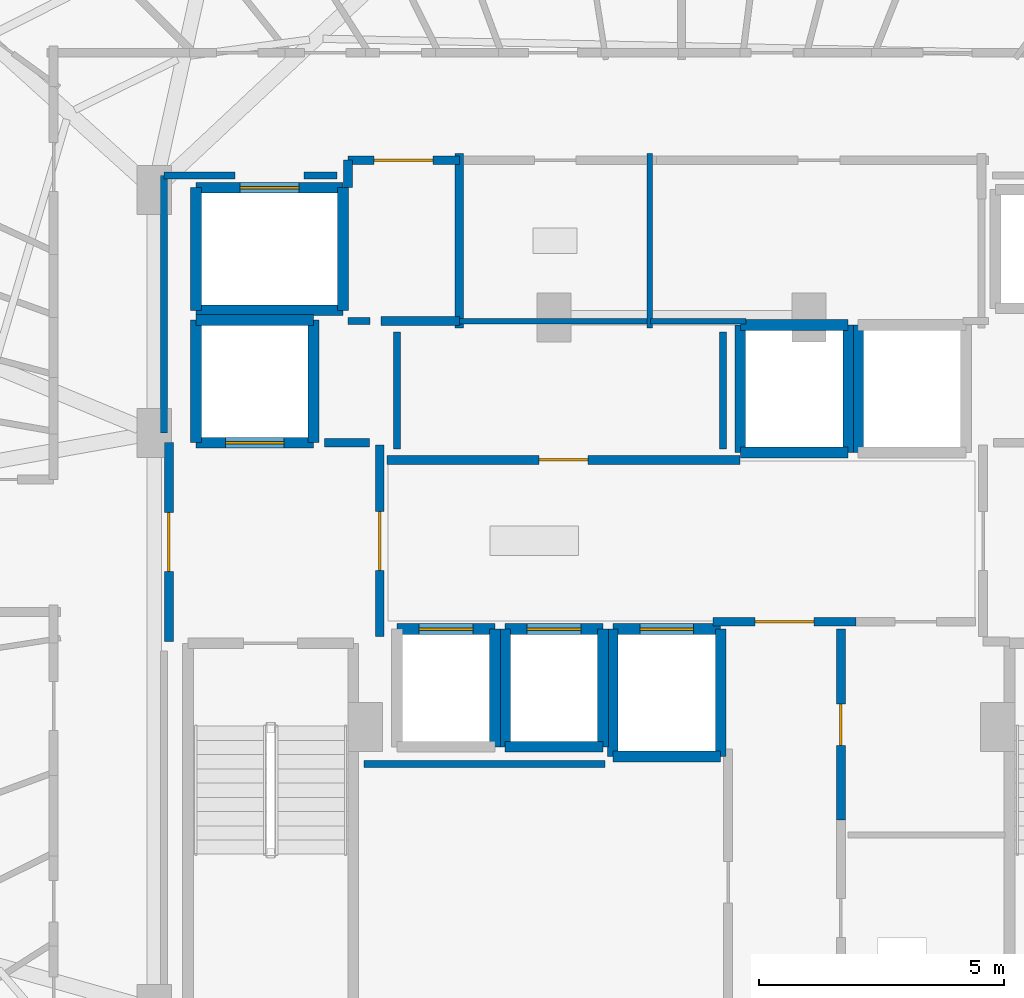
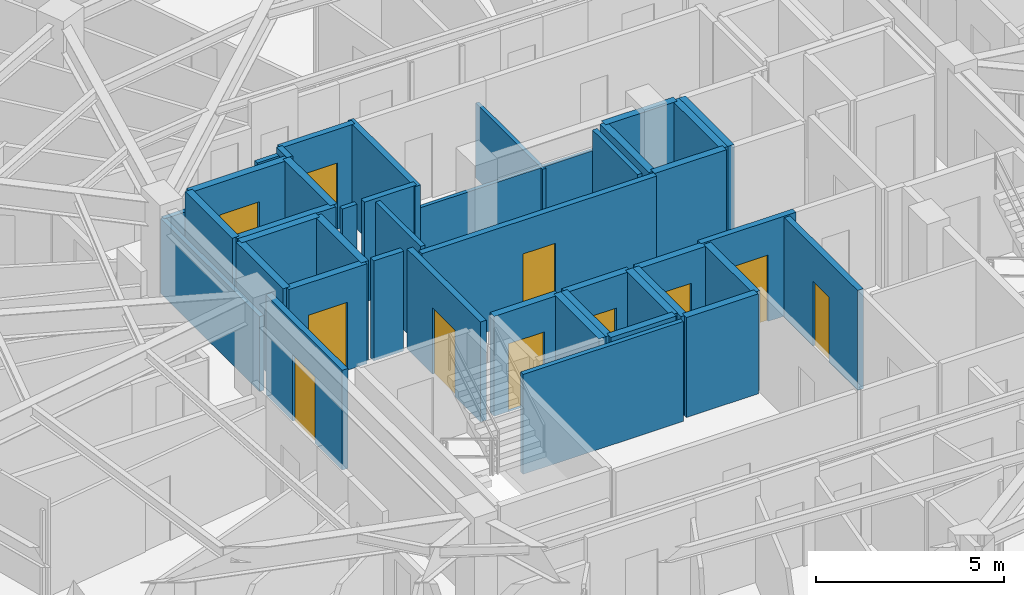
# One storey, part 26 of 34: 43 walls, 11 doors, 11 openings.
"""IFC4 building model written with IfcOpenShell, lengths in metres."""

from ifc_helpers import new_model, si_unit, direction, frame, frame_2d, origin, place, context, subcontext, project, spatial, rectangle, extrude, material, layer, layer_set, type_object, element, fill, save


model = new_model("IFC4")

# Units and contexts
model_context = context("Model", 3, precision=1e-05, world=origin(), true_north=direction((0.0, 1.0)))
body_context = subcontext(model_context, "Body", "Model", "MODEL_VIEW")
ifc_project = project(units=[si_unit("LENGTHUNIT", "METRE"), si_unit("AREAUNIT", "SQUARE_METRE"), si_unit("VOLUMEUNIT", "CUBIC_METRE"), si_unit("PLANEANGLEUNIT", "RADIAN"), si_unit("MASSUNIT", "GRAM", prefix="KILO")], contexts=[model_context])

# Site, building, storey
site_placement = place(None, origin())
site = spatial("IfcSite", under=ifc_project, at=site_placement, CompositionType="ELEMENT")
building_placement = place(site_placement, origin())
building = spatial("IfcBuilding", under=site, at=building_placement, Name="Vorneva Point Tower", CompositionType="ELEMENT")
storey_placement = place(building_placement, frame((0.0, 0.0, 182.60009765625)))
storey = spatial("IfcBuildingStorey", under=building, at=storey_placement, Name="L49", CompositionType="ELEMENT", Elevation=182.60009765625)

# Wall, opening, door
ifc_material_1 = material(Name="Concrete B60 (C50/60)", Category="concrete")
ifc_layer_1 = layer(ifc_material_1, 0.35009765625)
ifc_layer_set_1 = layer_set([ifc_layer_1], Name="Concrete B60 (C50/60)")
wall_type_1 = type_object("IfcWallType", Name="WL-CORE-350", PredefinedType="SHEAR", material=ifc_layer_set_1)
wall_1_placement = place(storey_placement, frame((28.10009765625, 28.0, 0.0), z_axis=(0.0, 0.0, 1.0), x_axis=(1.0, 0.0, 0.0)))
wall_1 = element("IfcWall", 1, at=wall_1_placement, inside=storey, type_object=wall_type_1, Name="L49 Lift FFL1 Shaft Wall -Y", PredefinedType="SHEAR", context=body_context, shape_type="SweptSolid", body=[
    extrude(rectangle(XDim=2.39990234375, YDim=0.219970703125, at=frame_2d((1.199951171875, 0.0))), origin(), (0.0, 0.0, 1.0), 3.239990234375),
])
opening_1_placement = place(wall_1_placement, frame((0.60009765625, 0.0, 0.0)))
opening_1 = element("IfcOpeningElement", 2, at=opening_1_placement, cuts=wall_1, Name="Opening LD-02", PredefinedType="OPENING", context=body_context, shape_type="SweptSolid", body=[
    extrude(rectangle(XDim=1.199951171875, YDim=2.199951171875, at=frame_2d((0.60009765625, 1.10009765625))), frame((0.0, 0.125, 0.0), z_axis=(0.0, -1.0, 0.0), x_axis=(1.0, 0.0, 0.0)), (0.0, 0.0, 1.0), 0.249755859375),
])
ifc_material_2 = material(Name="Brushed stainless steel S304", Category="steel")
door_type_1 = type_object("IfcDoorType", Name="LD-FIRE-1200", OperationType="SLIDING_TO_LEFT", PredefinedType="DOOR", material=ifc_material_2)
door_1_placement = place(opening_1_placement, origin())
door_1 = element("IfcDoor", 3, at=door_1_placement, inside=storey, type_object=door_type_1, Name="L49 Lift FFL1 Sliding Landing Door", OperationType="SLIDING_TO_LEFT", OverallHeight=2.199951171875, OverallWidth=1.199951171875, PredefinedType="DOOR", context=body_context, shape_type="SweptSolid", body=[
    extrude(rectangle(XDim=1.199951171875, YDim=2.199951171875, at=frame_2d((0.60009765625, 1.10009765625))), frame((0.0, 0.02490234375, 0.0), z_axis=(0.0, -1.0, 0.0), x_axis=(1.0, 0.0, 0.0)), (0.0, 0.0, 1.0), 0.050048828125),
])
fill(opening_1, door_1)

# Walls
wall_2_placement = place(storey_placement, frame((30.5, 28.0, 0.0), z_axis=(0.0, 0.0, 1.0), x_axis=(0.0, 1.0, 0.0)))
element("IfcWall", 4, at=wall_2_placement, inside=storey, type_object=wall_type_1, Name="L49 Lift FFL1 Shaft Wall +X", PredefinedType="SHEAR", context=body_context, shape_type="SweptSolid", body=[
    extrude(rectangle(XDim=2.5, YDim=0.219970703125, at=frame_2d((1.25, 0.0))), origin(), (0.0, 0.0, 1.0), 3.239990234375),
])
wall_3_placement = place(storey_placement, frame((30.5, 30.5, 0.0), z_axis=(0.0, 0.0, 1.0), x_axis=(-1.0, 0.0, 0.0)))
element("IfcWall", 5, at=wall_3_placement, inside=storey, type_object=wall_type_1, Name="L49 Lift FFL1 Shaft Wall +Y", PredefinedType="SHEAR", context=body_context, shape_type="SweptSolid", body=[
    extrude(rectangle(XDim=2.39990234375, YDim=0.219970703125, at=frame_2d((1.199951171875, 0.0))), origin(), (0.0, 0.0, 1.0), 3.239990234375),
])
wall_4_placement = place(storey_placement, frame((28.10009765625, 30.5, 0.0), z_axis=(0.0, 0.0, 1.0), x_axis=(0.0, -1.0, 0.0)))
element("IfcWall", 6, at=wall_4_placement, inside=storey, type_object=wall_type_1, Name="L49 Lift FFL1 Shaft Wall -X", PredefinedType="SHEAR", context=body_context, shape_type="SweptSolid", body=[
    extrude(rectangle(XDim=2.5, YDim=0.219970703125, at=frame_2d((1.25, 0.0))), origin(), (0.0, 0.0, 1.0), 3.239990234375),
])
ifc_material_3 = material(Name="Fire-rated acoustic gypsum stud partition", Category="gypsum")
ifc_layer_2 = layer(ifc_material_3, 0.110107421875)
ifc_layer_set_2 = layer_set([ifc_layer_2], Name="Fire-rated acoustic gypsum stud partition")
wall_type_2 = type_object("IfcWallType", Name="WL-PART-110", PredefinedType="PARTITIONING", material=ifc_layer_set_2)
wall_5_placement = place(storey_placement, frame((37.35009765625, 30.340087890625, 0.0), z_axis=(0.0, 0.0, 1.0), x_axis=(0.0, 1.0, 0.0)))
element("IfcWall", 7, at=wall_5_placement, inside=storey, type_object=wall_type_2, Name="L49 Interior Partition 019", PredefinedType="PARTITIONING", context=body_context, shape_type="SweptSolid", body=[
    extrude(rectangle(XDim=3.559814453125, YDim=0.110107421875, at=frame_2d((1.77978515625, 0.0))), origin(), (0.0, 0.0, 1.0), 2.431884765625),
])
wall_6_placement = place(storey_placement, frame((33.360107421875, 30.47998046875, 0.0), z_axis=(0.0, 0.0, 1.0), x_axis=(1.0, 0.0, 0.0)))
element("IfcWall", 8, at=wall_6_placement, inside=storey, type_object=wall_type_2, Name="L49 Interior Partition 020", PredefinedType="PARTITIONING", context=body_context, shape_type="SweptSolid", body=[
    extrude(rectangle(XDim=4.114990234375, YDim=0.110107421875, at=frame_2d((2.0576171875, 0.0))), origin(), (0.0, 0.0, 1.0), 2.431884765625),
])
wall_7_placement = place(storey_placement, frame((37.364990234375, 30.47998046875, 0.0), z_axis=(0.0, 0.0, 1.0), x_axis=(1.0, 0.0, 0.0)))
element("IfcWall", 9, at=wall_7_placement, inside=storey, type_object=wall_type_2, Name="L49 Interior Partition 022", PredefinedType="PARTITIONING", context=body_context, shape_type="SweptSolid", body=[
    extrude(rectangle(XDim=1.955078125, YDim=0.110107421875, at=frame_2d((0.9775390625, 0.0))), origin(), (0.0, 0.0, 1.0), 2.431884765625),
])
ifc_layer_3 = layer(ifc_material_3, 0.139892578125)
ifc_layer_set_3 = layer_set([ifc_layer_3], Name="Fire-rated acoustic gypsum stud partition")
wall_type_3 = type_object("IfcWallType", Name="WL-PART-140", PredefinedType="PARTITIONING", material=ifc_layer_set_3)
wall_8_placement = place(storey_placement, frame((31.199951171875, 30.47998046875, 0.0), z_axis=(0.0, 0.0, 1.0), x_axis=(1.0, 0.0, 0.0)))
element("IfcWall", 10, at=wall_8_placement, inside=storey, type_object=wall_type_3, Name="L49 Interior Closure Partition 191", PredefinedType="PARTITIONING", context=body_context, shape_type="SweptSolid", body=[
    extrude(rectangle(XDim=0.449951171875, YDim=0.139892578125, at=frame_2d((0.22509765625, 0.0))), origin(), (0.0, 0.0, 1.0), 3.239990234375),
])
wall_9_placement = place(storey_placement, frame((36.43896484375, 21.449951171875, 0.0), z_axis=(0.0, 0.0, 1.0), x_axis=(-1.0, 0.0, 0.0)))
element("IfcWall", 11, at=wall_9_placement, inside=storey, type_object=wall_type_3, Name="L49 Interior Closure Partition 194", PredefinedType="PARTITIONING", context=body_context, shape_type="SweptSolid", body=[
    extrude(rectangle(XDim=4.908935546875, YDim=0.139892578125, at=frame_2d((2.45458984375, 0.0))), origin(), (0.0, 0.0, 1.0), 3.239990234375),
])
for number, where, z_axis, x_axis, name in (
    (12, (32.199951171875, 30.260009765625, 0.0), (0.0, 0.0, 1.0), (0.0, -1.0, 0.0), "L49 Interior Closure Partition 195"),
    (13, (38.85009765625, 27.8701171875, 0.0), (0.0, 0.0, 1.0), (0.0, 1.0, 0.0), "L49 Interior Closure Partition 196"),
):
    element("IfcWall", number, at=place(storey_placement, frame(where, z_axis=z_axis, x_axis=x_axis)), inside=storey, type_object=wall_type_3, Name=name, PredefinedType="PARTITIONING", context=body_context, shape_type="SweptSolid", body=[
        extrude(rectangle(XDim=2.389892578125, YDim=0.139892578125, at=frame_2d((1.19482421875, 0.0))), origin(), (0.0, 0.0, 1.0), 3.239990234375),
    ])
wall_10_placement = place(storey_placement, frame((30.97998046875, 33.449951171875, 0.0), z_axis=(0.0, 0.0, 1.0), x_axis=(-1.0, 0.0, 0.0)))
element("IfcWall", 14, at=wall_10_placement, inside=storey, type_object=wall_type_3, Name="L49 Interior Closure Partition 201", PredefinedType="PARTITIONING", context=body_context, shape_type="SweptSolid", body=[
    extrude(rectangle(XDim=0.674072265625, YDim=0.139892578125, at=frame_2d((0.3369140625, 0.0))), origin(), (0.0, 0.0, 1.0), 3.239990234375),
])
wall_11_placement = place(storey_placement, frame((28.89404296875, 33.449951171875, 0.0), z_axis=(0.0, 0.0, 1.0), x_axis=(-1.0, 0.0, 0.0)))
element("IfcWall", 15, at=wall_11_placement, inside=storey, type_object=wall_type_3, Name="L49 Interior Closure Partition 202", PredefinedType="PARTITIONING", context=body_context, shape_type="SweptSolid", body=[
    extrude(rectangle(XDim=1.444091796875, YDim=0.139892578125, at=frame_2d((0.72216796875, 0.0))), origin(), (0.0, 0.0, 1.0), 2.431884765625),
])
wall_12_placement = place(storey_placement, frame((27.449951171875, 33.449951171875, 0.0), z_axis=(0.0, 0.0, 1.0), x_axis=(0.0, -1.0, 0.0)))
element("IfcWall", 16, at=wall_12_placement, inside=storey, type_object=wall_type_3, Name="L49 Interior Closure Partition 203", PredefinedType="PARTITIONING", context=body_context, shape_type="SweptSolid", body=[
    extrude(rectangle(XDim=5.25390625, YDim=0.139892578125, at=frame_2d((2.626953125, 0.0))), origin(), (0.0, 0.0, 1.0), 2.431884765625),
])

# Wall, opening, door
ifc_material_4 = material(Name="Autoclaved aerated concrete blockwork", Category="masonry")
ifc_layer_4 = layer(ifc_material_4, 0.179931640625)
ifc_layer_set_4 = layer_set([ifc_layer_4], Name="Autoclaved aerated concrete blockwork")
wall_type_4 = type_object("IfcWallType", Name="WL-PART-180", PredefinedType="PARTITIONING", material=ifc_layer_set_4)
wall_13_placement = place(storey_placement, frame((31.85009765625, 24.044921875, 0.0), z_axis=(0.0, 0.0, 1.0), x_axis=(0.0, 1.0, 0.0)))
wall_13 = element("IfcWall", 17, at=wall_13_placement, inside=storey, type_object=wall_type_4, Name="L49 Interior Partition 001", PredefinedType="PARTITIONING", context=body_context, shape_type="SweptSolid", body=[
    extrude(rectangle(XDim=3.91015625, YDim=0.179931640625, at=frame_2d((1.955078125, 0.0))), origin(), (0.0, 0.0, 1.0), 3.239990234375),
])
opening_2_placement = place(wall_13_placement, frame((1.35498046875, 0.0, 0.0)))
opening_2 = element("IfcOpeningElement", 18, at=opening_2_placement, cuts=wall_13, Name="Opening FD-02", PredefinedType="OPENING", context=body_context, shape_type="SweptSolid", body=[
    extrude(rectangle(XDim=1.199951171875, YDim=2.14990234375, at=frame_2d((0.60009765625, 1.074951171875))), frame((0.0, 0.10498046875, 0.0), z_axis=(0.0, -1.0, 0.0), x_axis=(1.0, 0.0, 0.0)), (0.0, 0.0, 1.0), 0.209716796875),
])
ifc_material_5 = material(Name="Fire-rated powder-coated steel", Category="steel")
door_type_2 = type_object("IfcDoorType", Name="DR-FFL-1200", OperationType="NOTDEFINED", PredefinedType="DOOR", material=ifc_material_5)
door_2_placement = place(opening_2_placement, origin())
door_2 = element("IfcDoor", 19, at=door_2_placement, inside=storey, type_object=door_type_2, Name="L49 Door West Firefighting Lobby / Central Lift Lobby", OperationType="SINGLE_SWING_RIGHT", OverallHeight=2.14990234375, OverallWidth=1.199951171875, PredefinedType="DOOR", context=body_context, shape_type="SweptSolid", body=[
    extrude(rectangle(XDim=1.199951171875, YDim=2.14990234375, at=frame_2d((0.60009765625, 1.074951171875))), frame((0.0, 0.02490234375, 0.0), z_axis=(0.0, -1.0, 0.0), x_axis=(1.0, 0.0, 0.0)), (0.0, 0.0, 1.0), 0.050048828125),
])
fill(opening_2, door_2)

wall_14_placement = place(storey_placement, frame((27.550048828125, 28.0, 0.0), z_axis=(0.0, 0.0, 1.0), x_axis=(0.0, -1.0, 0.0)))
wall_14 = element("IfcWall", 20, at=wall_14_placement, inside=storey, type_object=wall_type_4, Name="L49 Interior Partition 002", PredefinedType="PARTITIONING", context=body_context, shape_type="SweptSolid", body=[
    extrude(rectangle(XDim=4.050048828125, YDim=0.179931640625, at=frame_2d((2.02490234375, 0.0))), origin(), (0.0, 0.0, 1.0), 3.239990234375),
])
opening_3_placement = place(wall_14_placement, frame((1.425048828125, 0.0, 0.0)))
opening_3 = element("IfcOpeningElement", 21, at=opening_3_placement, cuts=wall_14, Name="Opening FD-02", PredefinedType="OPENING", context=body_context, shape_type="SweptSolid", body=[
    extrude(rectangle(XDim=1.199951171875, YDim=2.14990234375, at=frame_2d((0.60009765625, 1.074951171875))), frame((0.0, 0.10498046875, 0.0), z_axis=(0.0, -1.0, 0.0), x_axis=(1.0, 0.0, 0.0)), (0.0, 0.0, 1.0), 0.209716796875),
])
door_3_placement = place(opening_3_placement, origin())
door_3 = element("IfcDoor", 22, at=door_3_placement, inside=storey, type_object=door_type_2, Name="L49 Door West Firefighting Lobby / L49 Circulation Corridor", OperationType="SINGLE_SWING_RIGHT", OverallHeight=2.14990234375, OverallWidth=1.199951171875, PredefinedType="DOOR", context=body_context, shape_type="SweptSolid", body=[
    extrude(rectangle(XDim=1.199951171875, YDim=2.14990234375, at=frame_2d((0.60009765625, 1.074951171875))), frame((0.0, 0.02490234375, 0.0), z_axis=(0.0, -1.0, 0.0), x_axis=(1.0, 0.0, 0.0)), (0.0, 0.0, 1.0), 0.050048828125),
])
fill(opening_3, door_3)

# Walls
wall_15_placement = place(storey_placement, frame((33.469970703125, 30.340087890625, 0.0), z_axis=(0.0, 0.0, 1.0), x_axis=(0.0, 1.0, 0.0)))
element("IfcWall", 23, at=wall_15_placement, inside=storey, type_object=wall_type_4, Name="L49 Interior Partition 006", PredefinedType="PARTITIONING", context=body_context, shape_type="SweptSolid", body=[
    extrude(rectangle(XDim=3.559814453125, YDim=0.179931640625, at=frame_2d((1.77978515625, 0.0))), origin(), (0.0, 0.0, 1.0), 3.239990234375),
])
wall_16_placement = place(storey_placement, frame((31.8701171875, 30.47998046875, 0.0), z_axis=(0.0, 0.0, 1.0), x_axis=(1.0, 0.0, 0.0)))
element("IfcWall", 24, at=wall_16_placement, inside=storey, type_object=wall_type_4, Name="L49 Interior Partition 007", PredefinedType="PARTITIONING", context=body_context, shape_type="SweptSolid", body=[
    extrude(rectangle(XDim=1.599853515625, YDim=0.179931640625, at=frame_2d((0.7998046875, 0.0))), origin(), (0.0, 0.0, 1.0), 3.239990234375),
])

# Wall, opening, door
wall_17_placement = place(storey_placement, frame((33.469970703125, 33.760009765625, 0.0), z_axis=(0.0, 0.0, 1.0), x_axis=(-1.0, 0.0, 0.0)))
wall_17 = element("IfcWall", 25, at=wall_17_placement, inside=storey, type_object=wall_type_4, Name="L49 Interior Partition 008", PredefinedType="PARTITIONING", context=body_context, shape_type="SweptSolid", body=[
    extrude(rectangle(XDim=2.27001953125, YDim=0.179931640625, at=frame_2d((1.135009765625, 0.0))), origin(), (0.0, 0.0, 1.0), 3.239990234375),
])
opening_4_placement = place(wall_17_placement, frame((0.534912109375, 0.0, 0.0)))
opening_4 = element("IfcOpeningElement", 26, at=opening_4_placement, cuts=wall_17, Name="Opening FD-02", PredefinedType="OPENING", context=body_context, shape_type="SweptSolid", body=[
    extrude(rectangle(XDim=1.199951171875, YDim=2.14990234375, at=frame_2d((0.60009765625, 1.074951171875))), frame((0.0, 0.10498046875, 0.0), z_axis=(0.0, -1.0, 0.0), x_axis=(1.0, 0.0, 0.0)), (0.0, 0.0, 1.0), 0.209716796875),
])
door_4_placement = place(opening_4_placement, origin())
door_4 = element("IfcDoor", 27, at=door_4_placement, inside=storey, type_object=door_type_2, Name="L49 Door Service Lift Lobby / L49 Circulation Corridor", OperationType="SINGLE_SWING_RIGHT", OverallHeight=2.14990234375, OverallWidth=1.199951171875, PredefinedType="DOOR", context=body_context, shape_type="SweptSolid", body=[
    extrude(rectangle(XDim=1.199951171875, YDim=2.14990234375, at=frame_2d((0.60009765625, 1.074951171875))), frame((0.0, 0.02490234375, 0.0), z_axis=(0.0, -1.0, 0.0), x_axis=(1.0, 0.0, 0.0)), (0.0, 0.0, 1.0), 0.050048828125),
])
fill(opening_4, door_4)

# Wall
wall_18_placement = place(storey_placement, frame((31.199951171875, 33.760009765625, 0.0), z_axis=(0.0, 0.0, 1.0), x_axis=(0.0, -1.0, 0.0)))
element("IfcWall", 28, at=wall_18_placement, inside=storey, type_object=wall_type_4, Name="L49 Interior Partition 009", PredefinedType="PARTITIONING", context=body_context, shape_type="SweptSolid", body=[
    extrude(rectangle(XDim=0.56005859375, YDim=0.179931640625, at=frame_2d((0.280029296875, 0.0))), origin(), (0.0, 0.0, 1.0), 3.239990234375),
])

# Wall, opening, door
wall_19_placement = place(storey_placement, frame((38.64501953125, 24.35009765625, 0.0), z_axis=(0.0, 0.0, 1.0), x_axis=(1.0, 0.0, 0.0)))
wall_19 = element("IfcWall", 29, at=wall_19_placement, inside=storey, type_object=wall_type_4, Name="L49 Interior Partition 010", PredefinedType="PARTITIONING", context=body_context, shape_type="SweptSolid", body=[
    extrude(rectangle(XDim=2.909912109375, YDim=0.179931640625, at=frame_2d((1.455078125, 0.0))), origin(), (0.0, 0.0, 1.0), 3.239990234375),
])
opening_5_placement = place(wall_19_placement, frame((0.85498046875, 0.0, 0.0)))
opening_5 = element("IfcOpeningElement", 30, at=opening_5_placement, cuts=wall_19, Name="Opening FD-02", PredefinedType="OPENING", context=body_context, shape_type="SweptSolid", body=[
    extrude(rectangle(XDim=1.199951171875, YDim=2.14990234375, at=frame_2d((0.60009765625, 1.074951171875))), frame((0.0, 0.10498046875, 0.0), z_axis=(0.0, -1.0, 0.0), x_axis=(1.0, 0.0, 0.0)), (0.0, 0.0, 1.0), 0.209716796875),
])
door_5_placement = place(opening_5_placement, origin())
door_5 = element("IfcDoor", 31, at=door_5_placement, inside=storey, type_object=door_type_2, Name="L49 Door Central Lift Lobby / Core Service Lobby", OperationType="SINGLE_SWING_LEFT", OverallHeight=2.14990234375, OverallWidth=1.199951171875, PredefinedType="DOOR", context=body_context, shape_type="SweptSolid", body=[
    extrude(rectangle(XDim=1.199951171875, YDim=2.14990234375, at=frame_2d((0.60009765625, 1.074951171875))), frame((0.0, 0.02490234375, 0.0), z_axis=(0.0, -1.0, 0.0), x_axis=(1.0, 0.0, 0.0)), (0.0, 0.0, 1.0), 0.050048828125),
])
fill(opening_5, door_5)

wall_20_placement = place(storey_placement, frame((39.18994140625, 27.64990234375, 0.0), z_axis=(0.0, 0.0, 1.0), x_axis=(-1.0, 0.0, 0.0)))
wall_20 = element("IfcWall", 32, at=wall_20_placement, inside=storey, type_object=wall_type_4, Name="L49 Interior Partition 012", PredefinedType="PARTITIONING", context=body_context, shape_type="SweptSolid", body=[
    extrude(rectangle(XDim=7.18994140625, YDim=0.179931640625, at=frame_2d((3.594970703125, 0.0))), origin(), (0.0, 0.0, 1.0), 3.239990234375),
])
opening_6_placement = place(wall_20_placement, frame((3.094970703125, 0.0, 0.0)))
opening_6 = element("IfcOpeningElement", 33, at=opening_6_placement, cuts=wall_20, Name="Opening UD-01", PredefinedType="OPENING", context=body_context, shape_type="SweptSolid", body=[
    extrude(rectangle(XDim=1.0, YDim=2.14990234375, at=frame_2d((0.5, 1.074951171875))), frame((0.0, 0.10498046875, 0.0), z_axis=(0.0, -1.0, 0.0), x_axis=(1.0, 0.0, 0.0)), (0.0, 0.0, 1.0), 0.209716796875),
])
ifc_material_6 = material(Name="Engineered oak fire-rated door leaf", Category="wood")
door_type_3 = type_object("IfcDoorType", Name="DR-UNIT-1000", OperationType="NOTDEFINED", PredefinedType="DOOR", material=ifc_material_6)
door_6_placement = place(opening_6_placement, origin())
door_6 = element("IfcDoor", 34, at=door_6_placement, inside=storey, type_object=door_type_3, Name="L49 Door Central Lift Lobby / Reclaimed Core Meeting Room", OperationType="SINGLE_SWING_LEFT", OverallHeight=2.14990234375, OverallWidth=1.0, PredefinedType="DOOR", context=body_context, shape_type="SweptSolid", body=[
    extrude(rectangle(XDim=1.0, YDim=2.14990234375, at=frame_2d((0.5, 1.074951171875))), frame((0.0, 0.02490234375, 0.0), z_axis=(0.0, -1.0, 0.0), x_axis=(1.0, 0.0, 0.0)), (0.0, 0.0, 1.0), 0.050048828125),
])
fill(opening_6, door_6)

wall_21_placement = place(storey_placement, frame((41.25, 20.304931640625, 0.0), z_axis=(0.0, 0.0, 1.0), x_axis=(0.0, 1.0, 0.0)))
wall_21 = element("IfcWall", 35, at=wall_21_placement, inside=storey, type_object=wall_type_4, Name="L49 Interior Partition 014", PredefinedType="PARTITIONING", context=body_context, shape_type="SweptSolid", body=[
    extrude(rectangle(XDim=3.89501953125, YDim=0.179931640625, at=frame_2d((1.947509765625, 0.0))), origin(), (0.0, 0.0, 1.0), 3.239990234375),
])
opening_7_placement = place(wall_21_placement, frame((1.5224609375, 0.0, 0.0)))
opening_7 = element("IfcOpeningElement", 36, at=opening_7_placement, cuts=wall_21, Name="Opening ID-02", PredefinedType="OPENING", context=body_context, shape_type="SweptSolid", body=[
    extrude(rectangle(XDim=0.85009765625, YDim=2.10009765625, at=frame_2d((0.425048828125, 1.050048828125))), frame((0.0, 0.10498046875, 0.0), z_axis=(0.0, -1.0, 0.0), x_axis=(1.0, 0.0, 0.0)), (0.0, 0.0, 1.0), 0.209716796875),
])
door_type_4 = type_object("IfcDoorType", Name="DR-BATH-850", OperationType="NOTDEFINED", PredefinedType="DOOR", material=ifc_material_6)
door_7_placement = place(opening_7_placement, origin())
door_7 = element("IfcDoor", 37, at=door_7_placement, inside=storey, type_object=door_type_4, Name="L49 Door Core Service Lobby / Cleaners Store", OperationType="SINGLE_SWING_LEFT", OverallHeight=2.10009765625, OverallWidth=0.85009765625, PredefinedType="DOOR", context=body_context, shape_type="SweptSolid", body=[
    extrude(rectangle(XDim=0.85009765625, YDim=2.10009765625, at=frame_2d((0.425048828125, 1.050048828125))), frame((0.0, 0.02490234375, 0.0), z_axis=(0.0, -1.0, 0.0), x_axis=(1.0, 0.0, 0.0)), (0.0, 0.0, 1.0), 0.050048828125),
])
fill(opening_7, door_7)

# Walls
wall_22_placement = place(storey_placement, frame((31.635009765625, 28.0, 0.0), z_axis=(0.0, 0.0, 1.0), x_axis=(-1.0, 0.0, 0.0)))
element("IfcWall", 38, at=wall_22_placement, inside=storey, type_object=wall_type_4, Name="L49 Interior Closure Partition 189", PredefinedType="PARTITIONING", context=body_context, shape_type="SweptSolid", body=[
    extrude(rectangle(XDim=0.9150390625, YDim=0.179931640625, at=frame_2d((0.45751953125, 0.0))), origin(), (0.0, 0.0, 1.0), 3.239990234375),
])
ifc_material_7 = material(Name="Concrete B50 (C40/50)", Category="concrete")
ifc_layer_5 = layer(ifc_material_7, 0.219970703125)
ifc_layer_set_5 = layer_set([ifc_layer_5], Name="Concrete B50 (C40/50)")
wall_type_5 = type_object("IfcWallType", Name="WL-SHFT-220", PredefinedType="SOLIDWALL", material=ifc_layer_set_5)
wall_23_placement = place(storey_placement, frame((34.199951171875, 21.800048828125, 0.0), z_axis=(0.0, 0.0, 1.0), x_axis=(0.0, 1.0, 0.0)))
element("IfcWall", 39, at=wall_23_placement, inside=storey, type_object=wall_type_5, Name="L49 Lift PL4 Shaft Wall +X", PredefinedType="SOLIDWALL", context=body_context, shape_type="SweptSolid", body=[
    extrude(rectangle(XDim=2.39990234375, YDim=0.219970703125, at=frame_2d((1.199951171875, 0.0))), origin(), (0.0, 0.0, 1.0), 3.239990234375),
])

# Wall, opening, door
wall_24_placement = place(storey_placement, frame((34.199951171875, 24.199951171875, 0.0), z_axis=(0.0, 0.0, 1.0), x_axis=(-1.0, 0.0, 0.0)))
wall_24 = element("IfcWall", 40, at=wall_24_placement, inside=storey, type_object=wall_type_5, Name="L49 Lift PL4 Shaft Wall +Y", PredefinedType="SOLIDWALL", context=body_context, shape_type="SweptSolid", body=[
    extrude(rectangle(XDim=2.0, YDim=0.219970703125, at=frame_2d((1.0, 0.0))), origin(), (0.0, 0.0, 1.0), 3.239990234375),
])
opening_8_placement = place(wall_24_placement, frame((0.449951171875, 0.0, 0.0)))
opening_8 = element("IfcOpeningElement", 41, at=opening_8_placement, cuts=wall_24, Name="Opening LD-01", PredefinedType="OPENING", context=body_context, shape_type="SweptSolid", body=[
    extrude(rectangle(XDim=1.10009765625, YDim=2.199951171875, at=frame_2d((0.550048828125, 1.10009765625))), frame((0.0, 0.125, 0.0), z_axis=(0.0, -1.0, 0.0), x_axis=(1.0, 0.0, 0.0)), (0.0, 0.0, 1.0), 0.249755859375),
])
door_type_5 = type_object("IfcDoorType", Name="LD-PASS-1100", OperationType="SLIDING_TO_LEFT", PredefinedType="DOOR", material=ifc_material_2)
door_8_placement = place(opening_8_placement, origin())
door_8 = element("IfcDoor", 42, at=door_8_placement, inside=storey, type_object=door_type_5, Name="L49 Lift PL4 Sliding Landing Door", OperationType="SLIDING_TO_LEFT", OverallHeight=2.199951171875, OverallWidth=1.10009765625, PredefinedType="DOOR", context=body_context, shape_type="SweptSolid", body=[
    extrude(rectangle(XDim=1.10009765625, YDim=2.199951171875, at=frame_2d((0.550048828125, 1.10009765625))), frame((0.0, 0.02490234375, 0.0), z_axis=(0.0, -1.0, 0.0), x_axis=(1.0, 0.0, 0.0)), (0.0, 0.0, 1.0), 0.050048828125),
])
fill(opening_8, door_8)

# Walls
wall_25_placement = place(storey_placement, frame((34.39990234375, 21.800048828125, 0.0), z_axis=(0.0, 0.0, 1.0), x_axis=(1.0, 0.0, 0.0)))
element("IfcWall", 43, at=wall_25_placement, inside=storey, type_object=wall_type_5, Name="L49 Lift PL5 Shaft Wall -Y", PredefinedType="SOLIDWALL", context=body_context, shape_type="SweptSolid", body=[
    extrude(rectangle(XDim=2.0, YDim=0.219970703125, at=frame_2d((1.0, 0.0))), origin(), (0.0, 0.0, 1.0), 3.239990234375),
])
wall_26_placement = place(storey_placement, frame((36.39990234375, 21.800048828125, 0.0), z_axis=(0.0, 0.0, 1.0), x_axis=(0.0, 1.0, 0.0)))
element("IfcWall", 44, at=wall_26_placement, inside=storey, type_object=wall_type_5, Name="L49 Lift PL5 Shaft Wall +X", PredefinedType="SOLIDWALL", context=body_context, shape_type="SweptSolid", body=[
    extrude(rectangle(XDim=2.39990234375, YDim=0.219970703125, at=frame_2d((1.199951171875, 0.0))), origin(), (0.0, 0.0, 1.0), 3.239990234375),
])

# Wall, opening, door
wall_27_placement = place(storey_placement, frame((36.39990234375, 24.199951171875, 0.0), z_axis=(0.0, 0.0, 1.0), x_axis=(-1.0, 0.0, 0.0)))
wall_27 = element("IfcWall", 45, at=wall_27_placement, inside=storey, type_object=wall_type_5, Name="L49 Lift PL5 Shaft Wall +Y", PredefinedType="SOLIDWALL", context=body_context, shape_type="SweptSolid", body=[
    extrude(rectangle(XDim=2.0, YDim=0.219970703125, at=frame_2d((1.0, 0.0))), origin(), (0.0, 0.0, 1.0), 3.239990234375),
])
opening_9_placement = place(wall_27_placement, frame((0.449951171875, 0.0, 0.0)))
opening_9 = element("IfcOpeningElement", 46, at=opening_9_placement, cuts=wall_27, Name="Opening LD-01", PredefinedType="OPENING", context=body_context, shape_type="SweptSolid", body=[
    extrude(rectangle(XDim=1.10009765625, YDim=2.199951171875, at=frame_2d((0.550048828125, 1.10009765625))), frame((0.0, 0.125, 0.0), z_axis=(0.0, -1.0, 0.0), x_axis=(1.0, 0.0, 0.0)), (0.0, 0.0, 1.0), 0.249755859375),
])
door_9_placement = place(opening_9_placement, origin())
door_9 = element("IfcDoor", 47, at=door_9_placement, inside=storey, type_object=door_type_5, Name="L49 Lift PL5 Sliding Landing Door", OperationType="SLIDING_TO_LEFT", OverallHeight=2.199951171875, OverallWidth=1.10009765625, PredefinedType="DOOR", context=body_context, shape_type="SweptSolid", body=[
    extrude(rectangle(XDim=1.10009765625, YDim=2.199951171875, at=frame_2d((0.550048828125, 1.10009765625))), frame((0.0, 0.02490234375, 0.0), z_axis=(0.0, -1.0, 0.0), x_axis=(1.0, 0.0, 0.0)), (0.0, 0.0, 1.0), 0.050048828125),
])
fill(opening_9, door_9)

# Walls
wall_28_placement = place(storey_placement, frame((34.39990234375, 24.199951171875, 0.0), z_axis=(0.0, 0.0, 1.0), x_axis=(0.0, -1.0, 0.0)))
element("IfcWall", 48, at=wall_28_placement, inside=storey, type_object=wall_type_5, Name="L49 Lift PL5 Shaft Wall -X", PredefinedType="SOLIDWALL", context=body_context, shape_type="SweptSolid", body=[
    extrude(rectangle(XDim=2.39990234375, YDim=0.219970703125, at=frame_2d((1.199951171875, 0.0))), origin(), (0.0, 0.0, 1.0), 3.239990234375),
])
wall_29_placement = place(storey_placement, frame((36.60009765625, 21.60009765625, 0.0), z_axis=(0.0, 0.0, 1.0), x_axis=(1.0, 0.0, 0.0)))
element("IfcWall", 49, at=wall_29_placement, inside=storey, type_object=wall_type_5, Name="L49 Lift PL6 Shaft Wall -Y", PredefinedType="SOLIDWALL", context=body_context, shape_type="SweptSolid", body=[
    extrude(rectangle(XDim=2.199951171875, YDim=0.219970703125, at=frame_2d((1.10009765625, 0.0))), origin(), (0.0, 0.0, 1.0), 3.239990234375),
])
wall_30_placement = place(storey_placement, frame((38.800048828125, 21.60009765625, 0.0), z_axis=(0.0, 0.0, 1.0), x_axis=(0.0, 1.0, 0.0)))
element("IfcWall", 50, at=wall_30_placement, inside=storey, type_object=wall_type_5, Name="L49 Lift PL6 Shaft Wall +X", PredefinedType="SOLIDWALL", context=body_context, shape_type="SweptSolid", body=[
    extrude(rectangle(XDim=2.599853515625, YDim=0.219970703125, at=frame_2d((1.2998046875, 0.0))), origin(), (0.0, 0.0, 1.0), 3.239990234375),
])

# Wall, opening, door
wall_31_placement = place(storey_placement, frame((38.800048828125, 24.199951171875, 0.0), z_axis=(0.0, 0.0, 1.0), x_axis=(-1.0, 0.0, 0.0)))
wall_31 = element("IfcWall", 51, at=wall_31_placement, inside=storey, type_object=wall_type_5, Name="L49 Lift PL6 Shaft Wall +Y", PredefinedType="SOLIDWALL", context=body_context, shape_type="SweptSolid", body=[
    extrude(rectangle(XDim=2.199951171875, YDim=0.219970703125, at=frame_2d((1.10009765625, 0.0))), origin(), (0.0, 0.0, 1.0), 3.239990234375),
])
opening_10_placement = place(wall_31_placement, frame((0.550048828125, 0.0, 0.0)))
opening_10 = element("IfcOpeningElement", 52, at=opening_10_placement, cuts=wall_31, Name="Opening LD-01", PredefinedType="OPENING", context=body_context, shape_type="SweptSolid", body=[
    extrude(rectangle(XDim=1.10009765625, YDim=2.199951171875, at=frame_2d((0.550048828125, 1.10009765625))), frame((0.0, 0.125, 0.0), z_axis=(0.0, -1.0, 0.0), x_axis=(1.0, 0.0, 0.0)), (0.0, 0.0, 1.0), 0.249755859375),
])
door_10_placement = place(opening_10_placement, origin())
door_10 = element("IfcDoor", 53, at=door_10_placement, inside=storey, type_object=door_type_5, Name="L49 Lift PL6 Sliding Landing Door", OperationType="SLIDING_TO_LEFT", OverallHeight=2.199951171875, OverallWidth=1.10009765625, PredefinedType="DOOR", context=body_context, shape_type="SweptSolid", body=[
    extrude(rectangle(XDim=1.10009765625, YDim=2.199951171875, at=frame_2d((0.550048828125, 1.10009765625))), frame((0.0, 0.02490234375, 0.0), z_axis=(0.0, -1.0, 0.0), x_axis=(1.0, 0.0, 0.0)), (0.0, 0.0, 1.0), 0.050048828125),
])
fill(opening_10, door_10)

# Walls
wall_32_placement = place(storey_placement, frame((36.60009765625, 24.199951171875, 0.0), z_axis=(0.0, 0.0, 1.0), x_axis=(0.0, -1.0, 0.0)))
element("IfcWall", 54, at=wall_32_placement, inside=storey, type_object=wall_type_5, Name="L49 Lift PL6 Shaft Wall -X", PredefinedType="SOLIDWALL", context=body_context, shape_type="SweptSolid", body=[
    extrude(rectangle(XDim=2.599853515625, YDim=0.219970703125, at=frame_2d((1.2998046875, 0.0))), origin(), (0.0, 0.0, 1.0), 3.239990234375),
])
wall_33_placement = place(storey_placement, frame((39.199951171875, 27.800048828125, 0.0), z_axis=(0.0, 0.0, 1.0), x_axis=(1.0, 0.0, 0.0)))
element("IfcWall", 55, at=wall_33_placement, inside=storey, type_object=wall_type_5, Name="L49 Lift PL7 Shaft Wall -Y", PredefinedType="SOLIDWALL", context=body_context, shape_type="SweptSolid", body=[
    extrude(rectangle(XDim=2.199951171875, YDim=0.219970703125, at=frame_2d((1.10009765625, 0.0))), origin(), (0.0, 0.0, 1.0), 3.239990234375),
])
wall_34_placement = place(storey_placement, frame((41.39990234375, 27.800048828125, 0.0), z_axis=(0.0, 0.0, 1.0), x_axis=(0.0, 1.0, 0.0)))
element("IfcWall", 56, at=wall_34_placement, inside=storey, type_object=wall_type_5, Name="L49 Lift PL7 Shaft Wall +X", PredefinedType="SOLIDWALL", context=body_context, shape_type="SweptSolid", body=[
    extrude(rectangle(XDim=2.599853515625, YDim=0.219970703125, at=frame_2d((1.2998046875, 0.0))), origin(), (0.0, 0.0, 1.0), 3.239990234375),
])
wall_35_placement = place(storey_placement, frame((41.39990234375, 30.39990234375, 0.0), z_axis=(0.0, 0.0, 1.0), x_axis=(-1.0, 0.0, 0.0)))
element("IfcWall", 57, at=wall_35_placement, inside=storey, type_object=wall_type_5, Name="L49 Lift PL7 Shaft Wall +Y", PredefinedType="SOLIDWALL", context=body_context, shape_type="SweptSolid", body=[
    extrude(rectangle(XDim=2.199951171875, YDim=0.219970703125, at=frame_2d((1.10009765625, 0.0))), origin(), (0.0, 0.0, 1.0), 3.239990234375),
])
for number, where, z_axis, x_axis, name in (
    (58, (39.199951171875, 30.39990234375, 0.0), (0.0, 0.0, 1.0), (0.0, -1.0, 0.0), "L49 Lift PL7 Shaft Wall -X"),
    (59, (41.60009765625, 30.39990234375, 0.0), (0.0, 0.0, 1.0), (0.0, -1.0, 0.0), "L49 Lift PL8 Shaft Wall -X"),
):
    element("IfcWall", number, at=place(storey_placement, frame(where, z_axis=z_axis, x_axis=x_axis)), inside=storey, type_object=wall_type_5, Name=name, PredefinedType="SOLIDWALL", context=body_context, shape_type="SweptSolid", body=[
        extrude(rectangle(XDim=2.599853515625, YDim=0.219970703125, at=frame_2d((1.2998046875, 0.0))), origin(), (0.0, 0.0, 1.0), 3.239990234375),
    ])
wall_36_placement = place(storey_placement, frame((28.10009765625, 30.699951171875, 0.0), z_axis=(0.0, 0.0, 1.0), x_axis=(1.0, 0.0, 0.0)))
element("IfcWall", 60, at=wall_36_placement, inside=storey, type_object=wall_type_5, Name="L49 Lift SVL1 Shaft Wall -Y", PredefinedType="SOLIDWALL", context=body_context, shape_type="SweptSolid", body=[
    extrude(rectangle(XDim=3.0, YDim=0.219970703125, at=frame_2d((1.5, 0.0))), origin(), (0.0, 0.0, 1.0), 3.239990234375),
])
wall_37_placement = place(storey_placement, frame((31.10009765625, 30.699951171875, 0.0), z_axis=(0.0, 0.0, 1.0), x_axis=(0.0, 1.0, 0.0)))
element("IfcWall", 61, at=wall_37_placement, inside=storey, type_object=wall_type_5, Name="L49 Lift SVL1 Shaft Wall +X", PredefinedType="SOLIDWALL", context=body_context, shape_type="SweptSolid", body=[
    extrude(rectangle(XDim=2.5, YDim=0.219970703125, at=frame_2d((1.25, 0.0))), origin(), (0.0, 0.0, 1.0), 3.239990234375),
])

# Wall, opening, door
wall_38_placement = place(storey_placement, frame((31.10009765625, 33.199951171875, 0.0), z_axis=(0.0, 0.0, 1.0), x_axis=(-1.0, 0.0, 0.0)))
wall_38 = element("IfcWall", 62, at=wall_38_placement, inside=storey, type_object=wall_type_5, Name="L49 Lift SVL1 Shaft Wall +Y", PredefinedType="SOLIDWALL", context=body_context, shape_type="SweptSolid", body=[
    extrude(rectangle(XDim=3.0, YDim=0.219970703125, at=frame_2d((1.5, 0.0))), origin(), (0.0, 0.0, 1.0), 3.239990234375),
])
opening_11_placement = place(wall_38_placement, frame((0.89990234375, 0.0, 0.0)))
opening_11 = element("IfcOpeningElement", 63, at=opening_11_placement, cuts=wall_38, Name="Opening LD-02", PredefinedType="OPENING", context=body_context, shape_type="SweptSolid", body=[
    extrude(rectangle(XDim=1.199951171875, YDim=2.199951171875, at=frame_2d((0.60009765625, 1.10009765625))), frame((0.0, 0.125, 0.0), z_axis=(0.0, -1.0, 0.0), x_axis=(1.0, 0.0, 0.0)), (0.0, 0.0, 1.0), 0.249755859375),
])
door_11_placement = place(opening_11_placement, origin())
door_11 = element("IfcDoor", 64, at=door_11_placement, inside=storey, type_object=door_type_1, Name="L49 Lift SVL1 Sliding Landing Door", OperationType="SLIDING_TO_LEFT", OverallHeight=2.199951171875, OverallWidth=1.199951171875, PredefinedType="DOOR", context=body_context, shape_type="SweptSolid", body=[
    extrude(rectangle(XDim=1.199951171875, YDim=2.199951171875, at=frame_2d((0.60009765625, 1.10009765625))), frame((0.0, 0.02490234375, 0.0), z_axis=(0.0, -1.0, 0.0), x_axis=(1.0, 0.0, 0.0)), (0.0, 0.0, 1.0), 0.050048828125),
])
fill(opening_11, door_11)

# Wall
wall_39_placement = place(storey_placement, frame((28.10009765625, 33.199951171875, 0.0), z_axis=(0.0, 0.0, 1.0), x_axis=(0.0, -1.0, 0.0)))
element("IfcWall", 65, at=wall_39_placement, inside=storey, type_object=wall_type_5, Name="L49 Lift SVL1 Shaft Wall -X", PredefinedType="SOLIDWALL", context=body_context, shape_type="SweptSolid", body=[
    extrude(rectangle(XDim=2.5, YDim=0.219970703125, at=frame_2d((1.25, 0.0))), origin(), (0.0, 0.0, 1.0), 3.239990234375),
])

save(model, "model.ifc")
